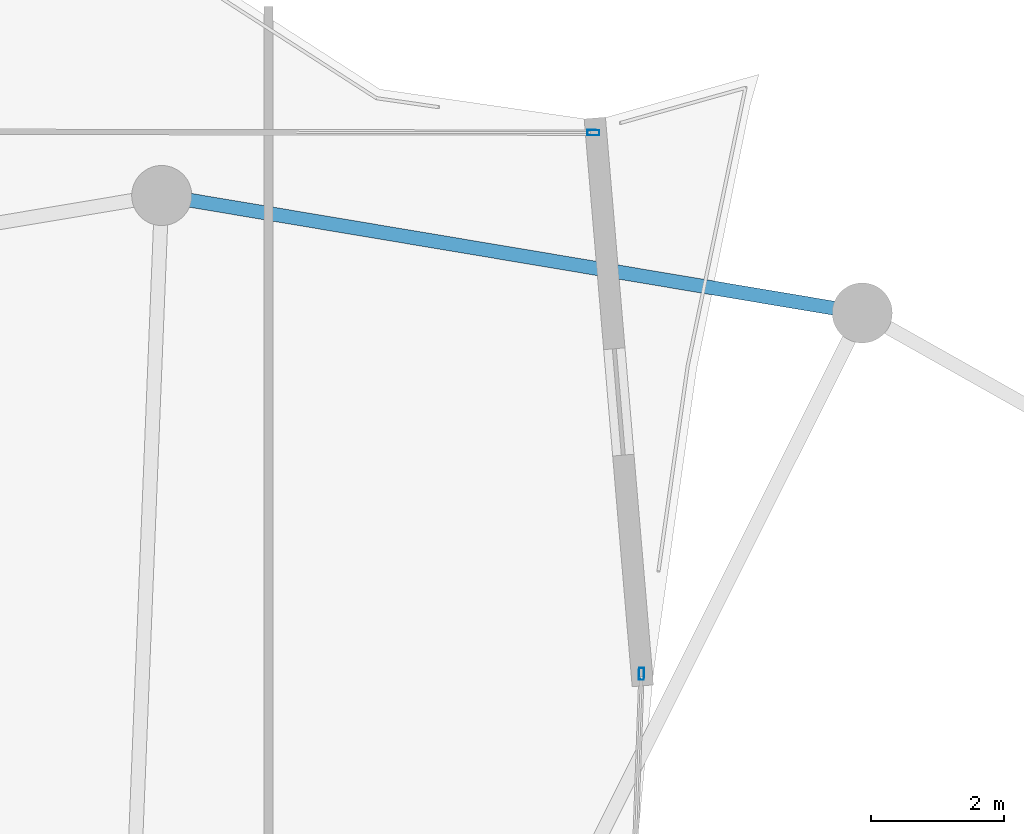
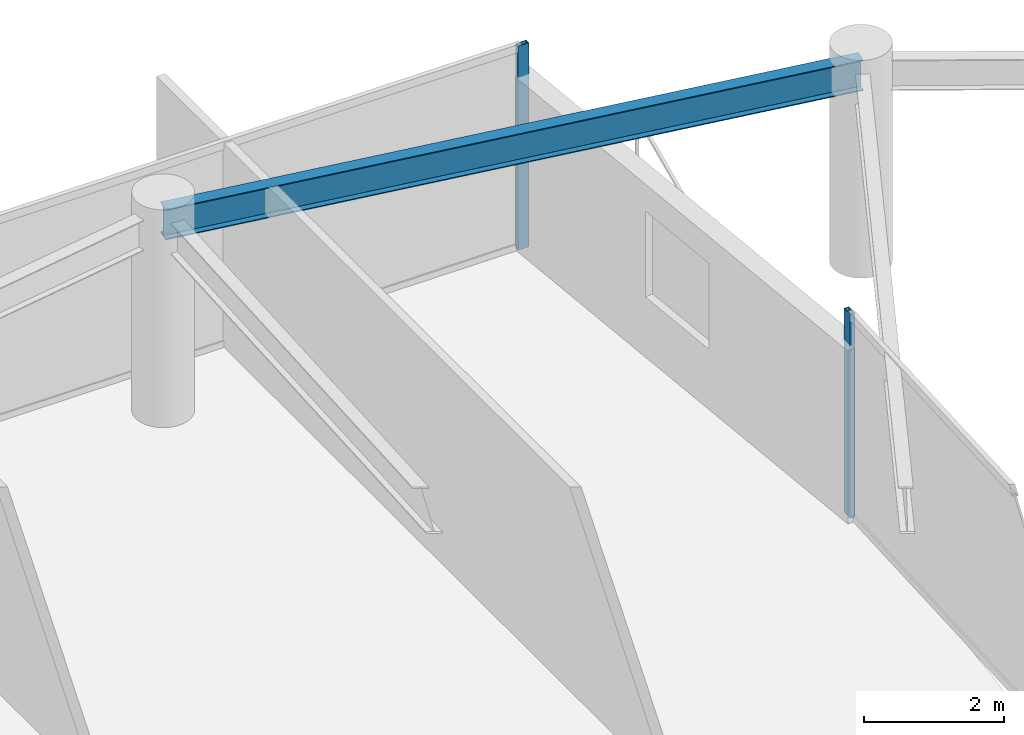
# One storey, part 17 of 23: 2 members, 1 beam, 2 elements without a shape of their own.
"""IFC4 building model written with IfcOpenShell, lengths in metres."""

from ifc_helpers import new_model, si_unit, direction, frame, origin, origin_2d, place, context, subcontext, project, spatial, hollow_rectangle, i_section, extrude, material, layer, layer_set, material_profile, profile_set, type_object, element, aggregate, save


model = new_model("IFC4")

# Units and contexts
model_context = context("Model", 3, precision=1e-05, world=origin(), true_north=direction((0.0, 1.0)))
body_context = subcontext(model_context, "Body", "Model", "MODEL_VIEW")
ifc_project = project(units=[si_unit("LENGTHUNIT", "METRE"), si_unit("AREAUNIT", "SQUARE_METRE"), si_unit("VOLUMEUNIT", "CUBIC_METRE"), si_unit("PLANEANGLEUNIT", "RADIAN"), si_unit("MASSUNIT", "GRAM", prefix="KILO")], contexts=[model_context])

# Site, building, storey
site_placement = place(None, origin())
site = spatial("IfcSite", under=ifc_project, at=site_placement, CompositionType="ELEMENT")
building_placement = place(site_placement, origin())
building = spatial("IfcBuilding", under=site, at=building_placement, Name="Kazevale Care Tower and Concert Hall", CompositionType="ELEMENT")
storey_placement = place(building_placement, frame((0.0, 0.0, 266.199951171875)))
storey = spatial("IfcBuildingStorey", under=building, at=storey_placement, Name="L70", CompositionType="ELEMENT", Elevation=266.199951171875)

# Curtain wall, member
ifc_material_1 = material(Name="Aluminium 6063-T6 and Low-E Glass", Category="aluminium")
ifc_layer = layer(ifc_material_1, 0.179931640625)
ifc_layer_set = layer_set([ifc_layer], Name="Aluminium 6063-T6 and Low-E Glass")
curtain_wall_type = type_object("IfcCurtainWallType", Name="Waist & Upper Residential Curtain Wall CW-4", PredefinedType="NOTDEFINED", material=ifc_layer_set)
curtain_wall_1_placement = place(storey_placement, origin())
curtain_wall_1 = element("IfcCurtainWall", 1, at=curtain_wall_1_placement, inside=storey, type_object=curtain_wall_type, Name="cw:L70:f12", PredefinedType="NOTDEFINED")
ifc_material_2 = material(Name="Aluminium 6063-T6", Category="aluminium")
ifc_material_profile_1 = material_profile(ifc_material_2, hollow_rectangle(XDim=0.080078125, YDim=0.179931640625, WallThickness=0.0048828125, at=origin_2d()), Name="ALU80x180x5")
ifc_profile_set_1 = profile_set([ifc_material_profile_1], Name="Aluminium 6063-T6")
member_type = type_object("IfcMemberType", Name="CW-4 Mullion ALU80x180x5", PredefinedType="MULLION", material=ifc_profile_set_1)
member_1_placement = place(storey_placement, frame((51.469970703125, 62.092041015625, 0.0), z_axis=(0.0, 0.0, 1.0), x_axis=(0.00139254081, 0.999999030415, 0.0)))
member_1 = element("IfcMember", 2, at=member_1_placement, type_object=member_type, Name="CW-4 mullion 2", PredefinedType="MULLION", context=body_context, shape_type="SweptSolid", body=[
    extrude(hollow_rectangle(XDim=0.080078125, YDim=0.179931640625, WallThickness=0.0048828125, at=origin_2d()), origin(), (0.0, 0.0, 1.0), 3.56005859375),
])
aggregate(curtain_wall_1, [member_1])

curtain_wall_2_placement = place(storey_placement, origin())
curtain_wall_2 = element("IfcCurtainWall", 3, at=curtain_wall_2_placement, inside=storey, type_object=curtain_wall_type, Name="cw:L70:f14", PredefinedType="NOTDEFINED")
member_2_placement = place(storey_placement, frame((52.190673828125, 53.98095703125, 0.0), z_axis=(0.0, 0.0, 1.0), x_axis=(0.99935931051, -0.035790620226, 0.0)))
member_2 = element("IfcMember", 4, at=member_2_placement, type_object=member_type, Name="CW-4 mullion 1", PredefinedType="MULLION", context=body_context, shape_type="SweptSolid", body=[
    extrude(hollow_rectangle(XDim=0.080078125, YDim=0.179931640625, WallThickness=0.0048828125, at=origin_2d()), origin(), (0.0, 0.0, 1.0), 3.56005859375),
])
aggregate(curtain_wall_2, [member_2])

# Beam
ifc_material_3 = material(Name="Steel ASTM A572 Gr 50", Category="steel")
ifc_material_profile_2 = material_profile(ifc_material_3, i_section(OverallWidth=0.208984375, OverallDepth=0.532958984375, WebThickness=0.01025390625, FlangeThickness=0.015625, at=origin_2d()), Name="W530x92")
ifc_profile_set_2 = profile_set([ifc_material_profile_2], Name="Steel ASTM A572 Gr 50")
beam_type = type_object("IfcBeamType", Name="Upper Ring Beam W530x92", PredefinedType="BEAM", material=ifc_profile_set_2)
beam_placement = place(storey_placement, frame((55.5, 59.389892578125, 3.29345703125), z_axis=(-0.986241035683, 0.165313700387, 0.0), x_axis=(-0.165313700387, -0.986241035683, 0.0)))
element("IfcBeam", 5, at=beam_placement, inside=storey, type_object=beam_type, Name="beam:L70:ring:04", PredefinedType="BEAM", context=body_context, shape_type="SweptSolid", body=[
    extrude(i_section(OverallWidth=0.208984375, OverallDepth=0.532958984375, WebThickness=0.01025390625, FlangeThickness=0.015625, at=origin_2d()), origin(), (0.0, 0.0, 1.0), 10.646484375),
])

save(model, "model.ifc")
